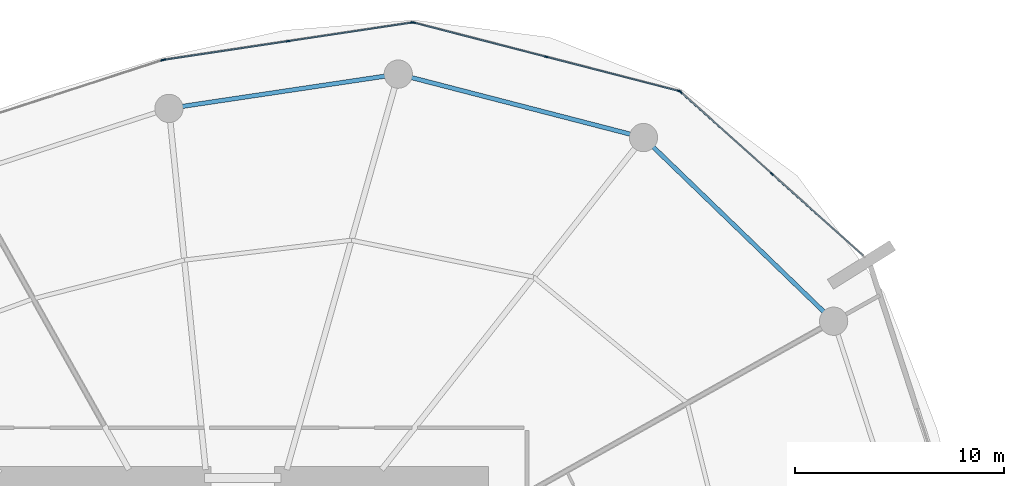
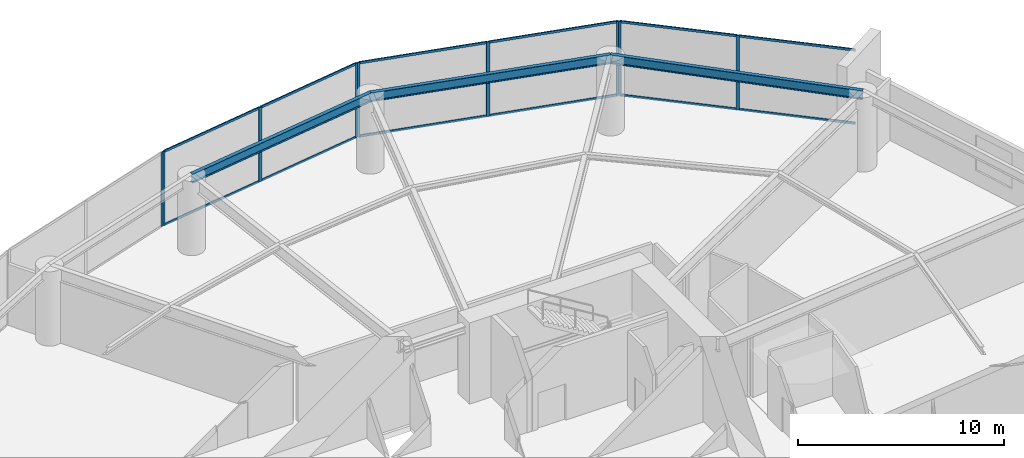
# One storey, part 15 of 22: 21 members, 3 beams, 4 elements without a shape of their own.
"""IFC4 building model written with IfcOpenShell, lengths in metres."""

from ifc_helpers import new_model, si_unit, direction, frame, origin, origin_2d, place, context, subcontext, project, spatial, rectangle, i_section, extrude, material, layer, layer_set, material_profile, profile_set, type_object, element, aggregate, save


model = new_model("IFC4")

# Units and contexts
model_context = context("Model", 3, precision=1e-05, world=origin(), true_north=direction((0.0, 1.0)))
body_context = subcontext(model_context, "Body", "Model", "MODEL_VIEW")
ifc_project = project(units=[si_unit("LENGTHUNIT", "METRE"), si_unit("AREAUNIT", "SQUARE_METRE"), si_unit("VOLUMEUNIT", "CUBIC_METRE"), si_unit("PLANEANGLEUNIT", "RADIAN"), si_unit("MASSUNIT", "GRAM", prefix="KILO")], contexts=[model_context])

# Site, building, storey
site_placement = place(None, origin())
site = spatial("IfcSite", under=ifc_project, at=site_placement, CompositionType="ELEMENT")
building_placement = place(site_placement, origin())
building = spatial("IfcBuilding", under=site, at=building_placement, Name="Kazma Halo Residences", CompositionType="ELEMENT")
storey_placement = place(building_placement, frame((0.0, 0.0, 16.800048828125)))
storey = spatial("IfcBuildingStorey", under=building, at=storey_placement, Name="L03", CompositionType="ELEMENT", Elevation=16.800048828125)

# Beams
ifc_material_1 = material(Name="Steel S355", Category="steel")
ifc_material_profile_1 = material_profile(ifc_material_1, i_section(OverallWidth=0.208984375, OverallDepth=0.532958984375, WebThickness=0.01025390625, FlangeThickness=0.015625, FilletRadius=0.01611328125, at=origin_2d()), Name="W530x92")
ifc_profile_set_1 = profile_set([ifc_material_profile_1], Name="Steel S355")
beam_type = type_object("IfcBeamType", Name="BM-SPN-W530", PredefinedType="BEAM", material=ifc_profile_set_1)
beam_1_placement = place(storey_placement, frame((76.6328125, 58.03515625, 4.133544921875), z_axis=(-0.719339467226, 0.694658715407, 0.0), x_axis=(-0.694658715407, -0.719339467226, 0.0)))
element("IfcBeam", 1, at=beam_1_placement, inside=storey, type_object=beam_type, Name="L03 perimeter ring beam 01", PredefinedType="BEAM", context=body_context, shape_type="SweptSolid", body=[
    extrude(i_section(OverallWidth=0.208984375, OverallDepth=0.532958984375, WebThickness=0.01025390625, FlangeThickness=0.015625, FilletRadius=0.01611328125, at=origin_2d()), origin(), (0.0, 0.0, 1.0), 12.6220703125),
])
beam_2_placement = place(storey_placement, frame((67.55322265625, 66.80322265625, 4.133544921875), z_axis=(-0.968123781445, 0.250472241578, 0.0), x_axis=(-0.250472241578, -0.968123781445, 0.0)))
element("IfcBeam", 2, at=beam_2_placement, inside=storey, type_object=beam_type, Name="L03 perimeter ring beam 02", PredefinedType="BEAM", context=body_context, shape_type="SweptSolid", body=[
    extrude(i_section(OverallWidth=0.208984375, OverallDepth=0.532958984375, WebThickness=0.01025390625, FlangeThickness=0.015625, FilletRadius=0.01611328125, at=origin_2d()), origin(), (0.0, 0.0, 1.0), 12.08935546875),
])
beam_3_placement = place(storey_placement, frame((55.84912109375, 69.831298828125, 4.133544921875), z_axis=(-0.989031581018, -0.14770420356, 0.0), x_axis=(0.14770420356, -0.989031581018, 0.0)))
element("IfcBeam", 3, at=beam_3_placement, inside=storey, type_object=beam_type, Name="L03 perimeter ring beam 03", PredefinedType="BEAM", context=body_context, shape_type="SweptSolid", body=[
    extrude(i_section(OverallWidth=0.208984375, OverallDepth=0.532958984375, WebThickness=0.01025390625, FlangeThickness=0.015625, FilletRadius=0.01611328125, at=origin_2d()), origin(), (0.0, 0.0, 1.0), 11.071044921875),
])

# Curtain wall, members
ifc_material_2 = material(Name="Aluminium AW-6063 T6 and Triple-Silver Low-E Glass", Category="aluminium")
ifc_layer = layer(ifc_material_2, 0.179931640625)
ifc_layer_set = layer_set([ifc_layer], Name="Aluminium AW-6063 T6 and Triple-Silver Low-E Glass")
curtain_wall_type = type_object("IfcCurtainWallType", Name="CW-SYS-1", PredefinedType="NOTDEFINED", material=ifc_layer_set)
curtain_wall_1_placement = place(storey_placement, origin())
curtain_wall_1 = element("IfcCurtainWall", 4, at=curtain_wall_1_placement, inside=storey, type_object=curtain_wall_type, Name="L03 unitised curtain wall B01", PredefinedType="NOTDEFINED")
ifc_material_3 = material(Name="Aluminium AW-6063 T6", Category="aluminium")
ifc_material_profile_2 = material_profile(ifc_material_3, rectangle(XDim=0.06494140625, YDim=0.179931640625, at=origin_2d()), Name="CWM-65x180")
ifc_profile_set_2 = profile_set([ifc_material_profile_2], Name="Aluminium AW-6063 T6")
member_type_1 = type_object("IfcMemberType", Name="CW-SYS-1-MUL", PredefinedType="MULLION", material=ifc_profile_set_2)
member_1_placement = place(storey_placement, frame((73.689208984375, 65.070556640625, 0.0), z_axis=(0.0, 0.0, 1.0), x_axis=(-0.667847908139, -0.744297770784, 0.0)))
member_1 = element("IfcMember", 5, at=member_1_placement, type_object=member_type_1, Name="CWS-1 mullion 2", PredefinedType="MULLION", context=body_context, shape_type="SweptSolid", body=[
    extrude(rectangle(XDim=0.06494140625, YDim=0.179931640625, at=origin_2d()), origin(), (0.0, 0.0, 1.0), 4.39990234375),
])
member_2_placement = place(storey_placement, frame((69.319580078125, 68.9912109375, 0.0), z_axis=(0.0, 0.0, 1.0), x_axis=(-0.667847908139, -0.744297770784, 0.0)))
member_2 = element("IfcMember", 6, at=member_2_placement, type_object=member_type_1, Name="CWS-1 mullion 3", PredefinedType="MULLION", context=body_context, shape_type="SweptSolid", body=[
    extrude(rectangle(XDim=0.06494140625, YDim=0.179931640625, at=origin_2d()), origin(), (0.0, 0.0, 1.0), 4.39990234375),
])

curtain_wall_2_placement = place(storey_placement, origin())
curtain_wall_2 = element("IfcCurtainWall", 7, at=curtain_wall_2_placement, inside=storey, type_object=curtain_wall_type, Name="L03 unitised curtain wall B02", PredefinedType="NOTDEFINED")
member_3_placement = place(storey_placement, frame((69.263916015625, 69.02099609375, 0.0), z_axis=(0.0, 0.0, 1.0), x_axis=(-0.249727103953, -0.96831625699, 0.0)))
member_3 = element("IfcMember", 8, at=member_3_placement, type_object=member_type_1, Name="CWS-1 mullion 1", PredefinedType="MULLION", context=body_context, shape_type="SweptSolid", body=[
    extrude(rectangle(XDim=0.06494140625, YDim=0.179931640625, at=origin_2d()), origin(), (0.0, 0.0, 1.0), 4.39990234375),
])
member_4_placement = place(storey_placement, frame((62.920654296875, 70.656982421875, 0.0), z_axis=(0.0, 0.0, 1.0), x_axis=(-0.249727103953, -0.96831625699, 0.0)))
member_4 = element("IfcMember", 9, at=member_4_placement, type_object=member_type_1, Name="CWS-1 mullion 2", PredefinedType="MULLION", context=body_context, shape_type="SweptSolid", body=[
    extrude(rectangle(XDim=0.06494140625, YDim=0.179931640625, at=origin_2d()), origin(), (0.0, 0.0, 1.0), 4.39990234375),
])
member_5_placement = place(storey_placement, frame((56.5771484375, 72.29296875, 0.0), z_axis=(0.0, 0.0, 1.0), x_axis=(-0.249727103953, -0.96831625699, 0.0)))
member_5 = element("IfcMember", 10, at=member_5_placement, type_object=member_type_1, Name="CWS-1 mullion 3", PredefinedType="MULLION", context=body_context, shape_type="SweptSolid", body=[
    extrude(rectangle(XDim=0.06494140625, YDim=0.179931640625, at=origin_2d()), origin(), (0.0, 0.0, 1.0), 4.39990234375),
])

curtain_wall_3_placement = place(storey_placement, origin())
curtain_wall_3 = element("IfcCurtainWall", 11, at=curtain_wall_3_placement, inside=storey, type_object=curtain_wall_type, Name="L03 unitised curtain wall B03", PredefinedType="NOTDEFINED")
member_6_placement = place(storey_placement, frame((56.513671875, 72.29638671875, 0.0), z_axis=(0.0, 0.0, 1.0), x_axis=(0.148548966342, -0.988905053379, 0.0)))
member_6 = element("IfcMember", 12, at=member_6_placement, type_object=member_type_1, Name="CWS-1 mullion 1", PredefinedType="MULLION", context=body_context, shape_type="SweptSolid", body=[
    extrude(rectangle(XDim=0.06494140625, YDim=0.179931640625, at=origin_2d()), origin(), (0.0, 0.0, 1.0), 4.39990234375),
])
member_7_placement = place(storey_placement, frame((50.585693359375, 71.40576171875, 0.0), z_axis=(0.0, 0.0, 1.0), x_axis=(0.148548966342, -0.988905053379, 0.0)))
member_7 = element("IfcMember", 13, at=member_7_placement, type_object=member_type_1, Name="CWS-1 mullion 2", PredefinedType="MULLION", context=body_context, shape_type="SweptSolid", body=[
    extrude(rectangle(XDim=0.06494140625, YDim=0.179931640625, at=origin_2d()), origin(), (0.0, 0.0, 1.0), 4.39990234375),
])
member_8_placement = place(storey_placement, frame((44.65771484375, 70.515380859375, 0.0), z_axis=(0.0, 0.0, 1.0), x_axis=(0.148548966342, -0.988905053379, 0.0)))
member_8 = element("IfcMember", 14, at=member_8_placement, type_object=member_type_1, Name="CWS-1 mullion 3", PredefinedType="MULLION", context=body_context, shape_type="SweptSolid", body=[
    extrude(rectangle(XDim=0.06494140625, YDim=0.179931640625, at=origin_2d()), origin(), (0.0, 0.0, 1.0), 4.39990234375),
])

# Curtain wall, member
curtain_wall_4_placement = place(storey_placement, origin())
curtain_wall_4 = element("IfcCurtainWall", 15, at=curtain_wall_4_placement, inside=storey, type_object=curtain_wall_type, Name="L03 unitised curtain wall B04", PredefinedType="NOTDEFINED")
member_9_placement = place(storey_placement, frame((44.5947265625, 70.50048828125, 0.0), z_axis=(0.0, 0.0, 1.0), x_axis=(0.309017239211, -0.951056436743, 0.0)))
member_9 = element("IfcMember", 16, at=member_9_placement, type_object=member_type_1, Name="CWS-1 mullion 1", PredefinedType="MULLION", context=body_context, shape_type="SweptSolid", body=[
    extrude(rectangle(XDim=0.06494140625, YDim=0.179931640625, at=origin_2d()), origin(), (0.0, 0.0, 1.0), 4.39990234375),
])
aggregate(curtain_wall_4, [member_9])

# Member
ifc_material_profile_3 = material_profile(ifc_material_3, rectangle(XDim=0.06494140625, YDim=0.135009765625, at=origin_2d()), Name="CWT-65x135")
ifc_profile_set_3 = profile_set([ifc_material_profile_3], Name="Aluminium AW-6063 T6")
member_type_2 = type_object("IfcMemberType", Name="CW-SYS-1-TRN", PredefinedType="USERDEFINED", material=ifc_profile_set_3)
member_10_placement = place(storey_placement, frame((78.034423828125, 61.171630859375, 0.032470703125), z_axis=(-0.744299097196, 0.667846429887, 0.0), x_axis=(-0.667846429887, -0.744299097196, 0.0)))
member_10 = element("IfcMember", 17, at=member_10_placement, type_object=member_type_2, Name="CWS-1 transom 1.1", ObjectType="TRANSOM", PredefinedType="USERDEFINED", context=body_context, shape_type="SweptSolid", body=[
    extrude(rectangle(XDim=0.06494140625, YDim=0.135009765625, at=origin_2d()), origin(), (0.0, 0.0, 1.0), 5.805419921875),
])

member_11_placement = place(storey_placement, frame((78.034423828125, 61.171630859375, 4.367431640625), z_axis=(-0.744299097196, 0.667846429887, 0.0), x_axis=(-0.667846429887, -0.744299097196, 0.0)))
member_11 = element("IfcMember", 18, at=member_11_placement, type_object=member_type_2, Name="CWS-1 transom 1.2", ObjectType="TRANSOM", PredefinedType="USERDEFINED", context=body_context, shape_type="SweptSolid", body=[
    extrude(rectangle(XDim=0.06494140625, YDim=0.135009765625, at=origin_2d()), origin(), (0.0, 0.0, 1.0), 5.805419921875),
])

member_12_placement = place(storey_placement, frame((73.6650390625, 65.09228515625, 0.032470703125), z_axis=(-0.744317852823, 0.667825526592, 0.0), x_axis=(-0.667825526592, -0.744317852823, 0.0)))
member_12 = element("IfcMember", 19, at=member_12_placement, type_object=member_type_2, Name="CWS-1 transom 2.1", ObjectType="TRANSOM", PredefinedType="USERDEFINED", context=body_context, shape_type="SweptSolid", body=[
    extrude(rectangle(XDim=0.06494140625, YDim=0.135009765625, at=origin_2d()), origin(), (0.0, 0.0, 1.0), 5.8056640625),
])

member_13_placement = place(storey_placement, frame((73.6650390625, 65.09228515625, 4.367431640625), z_axis=(-0.744317852823, 0.667825526592, 0.0), x_axis=(-0.667825526592, -0.744317852823, 0.0)))
member_13 = element("IfcMember", 20, at=member_13_placement, type_object=member_type_2, Name="CWS-1 transom 2.2", ObjectType="TRANSOM", PredefinedType="USERDEFINED", context=body_context, shape_type="SweptSolid", body=[
    extrude(rectangle(XDim=0.06494140625, YDim=0.135009765625, at=origin_2d()), origin(), (0.0, 0.0, 1.0), 5.8056640625),
])

aggregate(curtain_wall_1, [member_1, member_2, member_10, member_11, member_12, member_13])

member_14_placement = place(storey_placement, frame((69.232421875, 69.029296875, 0.032470703125), z_axis=(-0.968317854782, 0.249720908437, 0.0), x_axis=(-0.249720908437, -0.968317854782, 0.0)))
member_14 = element("IfcMember", 21, at=member_14_placement, type_object=member_type_2, Name="CWS-1 transom 1.1", ObjectType="TRANSOM", PredefinedType="USERDEFINED", context=body_context, shape_type="SweptSolid", body=[
    extrude(rectangle(XDim=0.06494140625, YDim=0.135009765625, at=origin_2d()), origin(), (0.0, 0.0, 1.0), 6.48583984375),
])

member_15_placement = place(storey_placement, frame((69.232421875, 69.029296875, 4.367431640625), z_axis=(-0.968317854782, 0.249720908437, 0.0), x_axis=(-0.249720908437, -0.968317854782, 0.0)))
member_15 = element("IfcMember", 22, at=member_15_placement, type_object=member_type_2, Name="CWS-1 transom 1.2", ObjectType="TRANSOM", PredefinedType="USERDEFINED", context=body_context, shape_type="SweptSolid", body=[
    extrude(rectangle(XDim=0.06494140625, YDim=0.135009765625, at=origin_2d()), origin(), (0.0, 0.0, 1.0), 6.48583984375),
])

member_16_placement = place(storey_placement, frame((62.88916015625, 70.665283203125, 0.032470703125), z_axis=(-0.968320202065, 0.249711806433, 0.0), x_axis=(-0.249711806433, -0.968320202065, 0.0)))
member_16 = element("IfcMember", 23, at=member_16_placement, type_object=member_type_2, Name="CWS-1 transom 2.1", ObjectType="TRANSOM", PredefinedType="USERDEFINED", context=body_context, shape_type="SweptSolid", body=[
    extrude(rectangle(XDim=0.06494140625, YDim=0.135009765625, at=origin_2d()), origin(), (0.0, 0.0, 1.0), 6.486083984375),
])

member_17_placement = place(storey_placement, frame((62.88916015625, 70.665283203125, 4.367431640625), z_axis=(-0.968320202065, 0.249711806433, 0.0), x_axis=(-0.249711806433, -0.968320202065, 0.0)))
member_17 = element("IfcMember", 24, at=member_17_placement, type_object=member_type_2, Name="CWS-1 transom 2.2", ObjectType="TRANSOM", PredefinedType="USERDEFINED", context=body_context, shape_type="SweptSolid", body=[
    extrude(rectangle(XDim=0.06494140625, YDim=0.135009765625, at=origin_2d()), origin(), (0.0, 0.0, 1.0), 6.486083984375),
])

aggregate(curtain_wall_2, [member_3, member_4, member_5, member_14, member_15, member_16, member_17])

member_18_placement = place(storey_placement, frame((56.4814453125, 72.29150390625, 0.032470703125), z_axis=(-0.988903408536, -0.14855991581, 0.0), x_axis=(0.14855991581, -0.988903408536, 0.0)))
member_18 = element("IfcMember", 25, at=member_18_placement, type_object=member_type_2, Name="CWS-1 transom 1.1", ObjectType="TRANSOM", PredefinedType="USERDEFINED", context=body_context, shape_type="SweptSolid", body=[
    extrude(rectangle(XDim=0.06494140625, YDim=0.135009765625, at=origin_2d()), origin(), (0.0, 0.0, 1.0), 5.92919921875),
])

member_19_placement = place(storey_placement, frame((56.4814453125, 72.29150390625, 4.367431640625), z_axis=(-0.988903408536, -0.14855991581, 0.0), x_axis=(0.14855991581, -0.988903408536, 0.0)))
member_19 = element("IfcMember", 26, at=member_19_placement, type_object=member_type_2, Name="CWS-1 transom 1.2", ObjectType="TRANSOM", PredefinedType="USERDEFINED", context=body_context, shape_type="SweptSolid", body=[
    extrude(rectangle(XDim=0.06494140625, YDim=0.135009765625, at=origin_2d()), origin(), (0.0, 0.0, 1.0), 5.92919921875),
])

member_20_placement = place(storey_placement, frame((50.553466796875, 71.40087890625, 0.032470703125), z_axis=(-0.988909456852, -0.148519649035, 0.0), x_axis=(0.148519649035, -0.988909456852, 0.0)))
member_20 = element("IfcMember", 27, at=member_20_placement, type_object=member_type_2, Name="CWS-1 transom 2.1", ObjectType="TRANSOM", PredefinedType="USERDEFINED", context=body_context, shape_type="SweptSolid", body=[
    extrude(rectangle(XDim=0.06494140625, YDim=0.135009765625, at=origin_2d()), origin(), (0.0, 0.0, 1.0), 5.92919921875),
])

member_21_placement = place(storey_placement, frame((50.553466796875, 71.40087890625, 4.367431640625), z_axis=(-0.988909456852, -0.148519649035, 0.0), x_axis=(0.148519649035, -0.988909456852, 0.0)))
member_21 = element("IfcMember", 28, at=member_21_placement, type_object=member_type_2, Name="CWS-1 transom 2.2", ObjectType="TRANSOM", PredefinedType="USERDEFINED", context=body_context, shape_type="SweptSolid", body=[
    extrude(rectangle(XDim=0.06494140625, YDim=0.135009765625, at=origin_2d()), origin(), (0.0, 0.0, 1.0), 5.92919921875),
])

aggregate(curtain_wall_3, [member_6, member_7, member_8, member_18, member_19, member_20, member_21])

save(model, "model.ifc")
